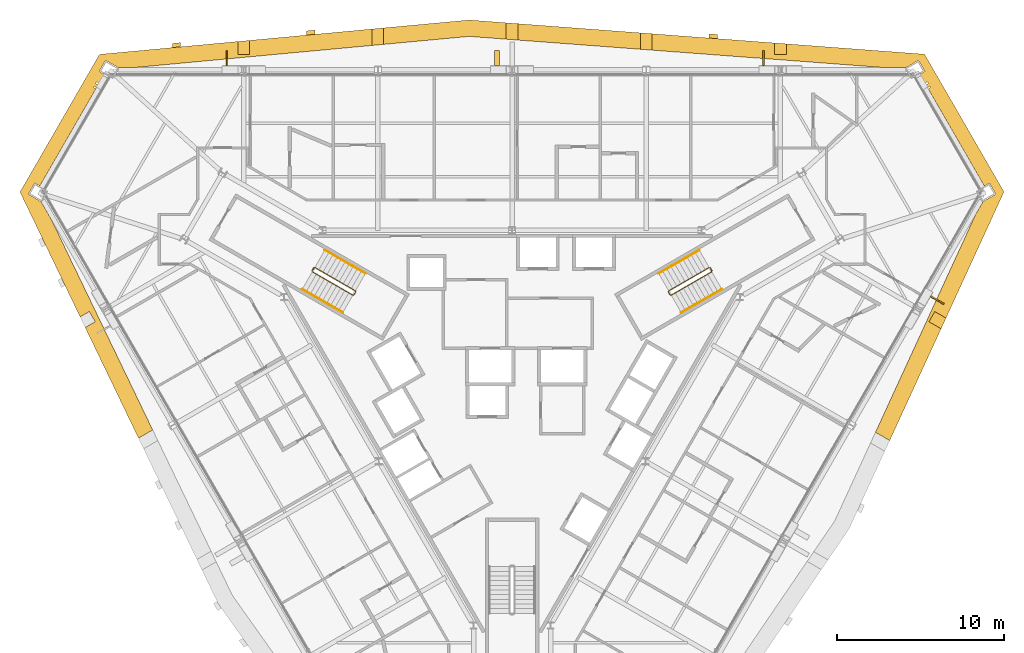
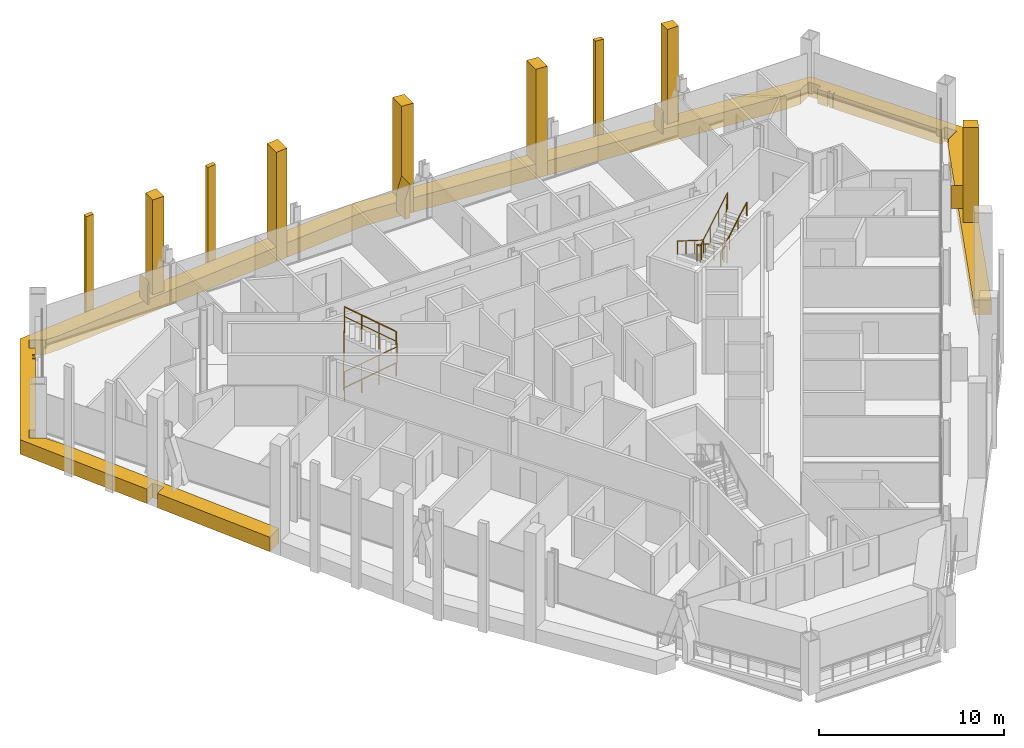
# One storey, part 16 of 16: 17 coverings, 6 railings.
"""IFC4 building model written with IfcOpenShell, lengths in metres."""

from ifc_helpers import new_model, si_unit, direction, frame, origin, origin_2d, place, context, subcontext, project, spatial, polyline, circle, outline, extrude, material, layer, layer_set, type_object, element, save


model = new_model("IFC4")

# Units and contexts
model_context = context("Model", 3, precision=1e-05, world=origin(), true_north=direction((0.0, 1.0)))
body_context = subcontext(model_context, "Body", "Model", "MODEL_VIEW")
ifc_project = project(units=[si_unit("LENGTHUNIT", "METRE"), si_unit("AREAUNIT", "SQUARE_METRE"), si_unit("VOLUMEUNIT", "CUBIC_METRE"), si_unit("PLANEANGLEUNIT", "RADIAN"), si_unit("MASSUNIT", "GRAM", prefix="KILO")], contexts=[model_context])

# Site, building, storey
site_placement = place(None, origin())
site = spatial("IfcSite", under=ifc_project, at=site_placement, CompositionType="ELEMENT")
building_placement = place(site_placement, origin())
building = spatial("IfcBuilding", under=site, at=building_placement, Name="Verrane Prism Tower", CompositionType="ELEMENT")
storey_placement = place(building_placement, frame((0.0, 0.0, 114.39990234375)))
storey = spatial("IfcBuildingStorey", under=building, at=storey_placement, Name="L27", CompositionType="ELEMENT", Elevation=114.39990234375)

# Railings
ifc_material_1 = material(Name="Steel A36 rail and posts, no infill", Category="steel")
railing_type_1 = type_object("IfcRailingType", Name="Stair guard 1100 steel rail and posts", PredefinedType="GUARDRAIL", material=ifc_material_1)
railing_1_placement = place(storey_placement, frame((11.78955078125, 6.97998046875, 0.163818359375)))
element("IfcRailing", 1, at=railing_1_placement, inside=storey, type_object=railing_type_1, Name="Stair 1 guard", PredefinedType="GUARDRAIL", context=body_context, shape_type="SweptSolid", body=[
    extrude(circle(Radius=0.02392578125, at=origin_2d()), frame((0.0, 0.0, 1.076171875), z_axis=(-0.747693913401, -0.431738279637, 0.504535300807), x_axis=(0.500049511043, -0.865996816683, 0.0)), (0.0, 0.0, 1.0), 3.2431640625),
    extrude(circle(Radius=0.02392578125, at=origin_2d()), frame((-2.4248046875, -1.400146484375, 2.71240234375), z_axis=(-0.259601060869, -0.965715946433, 0.0), x_axis=(0.965715946433, -0.259601060869, 0.0)), (0.0, 0.0, 1.0), 0.070556640625),
    extrude(circle(Radius=0.02392578125, at=origin_2d()), frame((-2.443115234375, -1.46826171875, 2.71240234375), z_axis=(0.499158860599, -0.866510491504, 0.0), x_axis=(0.866510491504, 0.499158860599, 0.0)), (0.0, 0.0, 1.0), 0.199951171875),
    extrude(circle(Radius=0.02392578125, at=origin_2d()), frame((-2.34326171875, -1.6416015625, 2.71240234375), z_axis=(0.383552647116, -0.102737316192, 0.917786691313), x_axis=(0.258736085224, 0.965948051503, 0.0)), (0.0, 0.0, 1.0), 0.17822265625),
    extrude(circle(Radius=0.02392578125, at=origin_2d()), frame((-2.27490234375, -1.659912109375, 2.8759765625), z_axis=(0.747665513933, 0.431721881032, 0.504591415616), x_axis=(-0.500049511043, 0.865996816683, 0.0)), (0.0, 0.0, 1.0), 3.2431640625),
    extrude(circle(Radius=0.02392578125, at=origin_2d()), frame((0.14990234375, -0.259765625, 4.51220703125), z_axis=(-0.022593669287, 0.066901613547, -0.997503734436), x_axis=(-0.947430582667, -0.3199613899, 0.0)), (0.0, 0.0, 1.0), 3.609130859375),
    extrude(circle(Radius=0.02392578125, at=origin_2d()), frame((0.068359375, -0.018310546875, 0.912109375), z_axis=(0.499158860599, -0.866510491504, 0.0), x_axis=(0.866510491504, 0.499158860599, 0.0)), (0.0, 0.0, 1.0), 0.199951171875),
    extrude(circle(Radius=0.02099609375, at=origin_2d()), origin(), (0.0, 0.0, 1.0), 1.052001953125),
    extrude(circle(Radius=0.02099609375, at=origin_2d()), frame((-0.808349609375, -0.466796875, 0.54541015625)), (0.0, 0.0, 1.0), 1.052001953125),
    extrude(circle(Radius=0.02099609375, at=origin_2d()), frame((-1.616455078125, -0.933349609375, 1.0908203125)), (0.0, 0.0, 1.0), 1.052001953125),
    extrude(circle(Radius=0.02099609375, at=origin_2d()), frame((-2.4248046875, -1.400146484375, 1.63623046875)), (0.0, 0.0, 1.0), 1.052001953125),
    extrude(circle(Radius=0.02099609375, at=origin_2d()), frame((-2.443115234375, -1.46826171875, 1.63623046875)), (0.0, 0.0, 1.0), 1.052001953125),
    extrude(circle(Radius=0.02099609375, at=origin_2d()), frame((-2.34326171875, -1.6416015625, 1.63623046875)), (0.0, 0.0, 1.0), 1.052001953125),
    extrude(circle(Radius=0.02099609375, at=origin_2d()), frame((-2.27490234375, -1.659912109375, 1.7998046875)), (0.0, 0.0, 1.0), 1.052001953125),
    extrude(circle(Radius=0.02099609375, at=origin_2d()), frame((-1.466552734375, -1.193115234375, 2.34521484375)), (0.0, 0.0, 1.0), 1.052001953125),
    extrude(circle(Radius=0.02099609375, at=origin_2d()), frame((-0.658447265625, -0.7265625, 2.890869140625)), (0.0, 0.0, 1.0), 1.052001953125),
    extrude(circle(Radius=0.02099609375, at=origin_2d()), frame((0.14990234375, -0.259765625, 3.436279296875)), (0.0, 0.0, 1.0), 1.052001953125),
    extrude(circle(Radius=0.02099609375, at=origin_2d()), frame((0.12939453125, -0.199462890625, 2.5361328125)), (0.0, 0.0, 1.0), 1.052001953125),
    extrude(circle(Radius=0.02099609375, at=origin_2d()), frame((0.109130859375, -0.13916015625, 1.63623046875)), (0.0, 0.0, 1.0), 1.052001953125),
    extrude(circle(Radius=0.02099609375, at=origin_2d()), frame((0.0888671875, -0.07861328125, 0.736328125)), (0.0, 0.0, 1.0), 1.052001953125),
    extrude(circle(Radius=0.02099609375, at=origin_2d()), frame((0.068359375, -0.018310546875, -0.163818359375)), (0.0, 0.0, 1.0), 1.052001953125),
    extrude(circle(Radius=0.02099609375, at=origin_2d()), frame((0.168212890625, -0.191650390625, -0.163818359375)), (0.0, 0.0, 1.0), 1.052001953125),
])
railing_2_placement = place(storey_placement, frame((-11.939453125, 6.72021484375, 0.163818359375)))
element("IfcRailing", 2, at=railing_2_placement, inside=storey, type_object=railing_type_1, Name="Stair 2 guard", PredefinedType="GUARDRAIL", context=body_context, shape_type="SweptSolid", body=[
    extrude(circle(Radius=0.02392578125, at=origin_2d()), frame((0.0, 0.0, 1.076171875), z_axis=(0.747693913401, -0.431738279637, 0.504535300807), x_axis=(0.500049511043, 0.865996816683, 0.0)), (0.0, 0.0, 1.0), 3.2431640625),
    extrude(circle(Radius=0.02392578125, at=origin_2d()), frame((2.4248046875, -1.400146484375, 2.71240234375), z_axis=(0.965948051503, 0.258736085224, 0.0), x_axis=(-0.258736085224, 0.965948051503, 0.0)), (0.0, 0.0, 1.0), 0.07080078125),
    extrude(circle(Radius=0.02392578125, at=origin_2d()), frame((2.4931640625, -1.3818359375, 2.71240234375), z_axis=(0.499158860599, 0.866510491504, 0.0), x_axis=(-0.866510491504, 0.499158860599, 0.0)), (0.0, 0.0, 1.0), 0.199951171875),
    extrude(circle(Radius=0.02392578125, at=origin_2d()), frame((2.593017578125, -1.20849609375, 2.71240234375), z_axis=(-0.102791240646, 0.382383415203, 0.918268416436), x_axis=(-0.965715946433, -0.259601060869, 0.0)), (0.0, 0.0, 1.0), 0.17822265625),
    extrude(circle(Radius=0.02392578125, at=origin_2d()), frame((2.57470703125, -1.140380859375, 2.8759765625), z_axis=(-0.747665513933, 0.431721881032, 0.504591415616), x_axis=(-0.500049511043, -0.865996816683, 0.0)), (0.0, 0.0, 1.0), 3.2431640625),
    extrude(circle(Radius=0.02392578125, at=origin_2d()), frame((0.14990234375, 0.259765625, 4.51220703125), z_axis=(-0.046607763296, -0.053101733218, -0.99750083826), x_axis=(0.751567565678, -0.659656118156, 0.0)), (0.0, 0.0, 1.0), 3.609130859375),
    extrude(circle(Radius=0.02392578125, at=origin_2d()), frame((-0.018310546875, 0.068115234375, 0.912109375), z_axis=(0.499158860599, 0.866510491504, 0.0), x_axis=(-0.866510491504, 0.499158860599, 0.0)), (0.0, 0.0, 1.0), 0.199951171875),
    extrude(circle(Radius=0.02099609375, at=origin_2d()), origin(), (0.0, 0.0, 1.0), 1.052001953125),
    extrude(circle(Radius=0.02099609375, at=origin_2d()), frame((0.808349609375, -0.466796875, 0.54541015625)), (0.0, 0.0, 1.0), 1.052001953125),
    extrude(circle(Radius=0.02099609375, at=origin_2d()), frame((1.616455078125, -0.933349609375, 1.0908203125)), (0.0, 0.0, 1.0), 1.052001953125),
    extrude(circle(Radius=0.02099609375, at=origin_2d()), frame((2.4248046875, -1.400146484375, 1.63623046875)), (0.0, 0.0, 1.0), 1.052001953125),
    extrude(circle(Radius=0.02099609375, at=origin_2d()), frame((2.4931640625, -1.3818359375, 1.63623046875)), (0.0, 0.0, 1.0), 1.052001953125),
    extrude(circle(Radius=0.02099609375, at=origin_2d()), frame((2.593017578125, -1.20849609375, 1.63623046875)), (0.0, 0.0, 1.0), 1.052001953125),
    extrude(circle(Radius=0.02099609375, at=origin_2d()), frame((2.57470703125, -1.140380859375, 1.7998046875)), (0.0, 0.0, 1.0), 1.052001953125),
    extrude(circle(Radius=0.02099609375, at=origin_2d()), frame((1.766357421875, -0.673583984375, 2.34521484375)), (0.0, 0.0, 1.0), 1.052001953125),
    extrude(circle(Radius=0.02099609375, at=origin_2d()), frame((0.958251953125, -0.20703125, 2.890869140625)), (0.0, 0.0, 1.0), 1.052001953125),
    extrude(circle(Radius=0.02099609375, at=origin_2d()), frame((0.14990234375, 0.259765625, 3.436279296875)), (0.0, 0.0, 1.0), 1.052001953125),
    extrude(circle(Radius=0.02099609375, at=origin_2d()), frame((0.10791015625, 0.2119140625, 2.5361328125)), (0.0, 0.0, 1.0), 1.052001953125),
    extrude(circle(Radius=0.02099609375, at=origin_2d()), frame((0.06591796875, 0.1640625, 1.63623046875)), (0.0, 0.0, 1.0), 1.052001953125),
    extrude(circle(Radius=0.02099609375, at=origin_2d()), frame((0.023681640625, 0.115966796875, 0.736328125)), (0.0, 0.0, 1.0), 1.052001953125),
    extrude(circle(Radius=0.02099609375, at=origin_2d()), frame((-0.018310546875, 0.068115234375, -0.163818359375)), (0.0, 0.0, 1.0), 1.052001953125),
    extrude(circle(Radius=0.02099609375, at=origin_2d()), frame((0.08154296875, 0.241455078125, -0.163818359375)), (0.0, 0.0, 1.0), 1.052001953125),
])
ifc_material_2 = material(Name="Steel A36 tube", Category="steel")
railing_type_2 = type_object("IfcRailingType", Name="Stair handrail 900 steel tube", PredefinedType="HANDRAIL", material=ifc_material_2)
railing_3_placement = place(storey_placement, frame((11.189453125, 8.01904296875, 0.163818359375)))
element("IfcRailing", 3, at=railing_3_placement, inside=storey, type_object=railing_type_2, Name="Stair 1 handrail", PredefinedType="HANDRAIL", context=body_context, shape_type="SweptSolid", body=[
    extrude(circle(Radius=0.02392578125, at=origin_2d()), frame((0.0, 0.0, 0.8759765625), z_axis=(-0.74771821388, -0.431677027627, 0.504551698492), x_axis=(0.49998411664, -0.866034573852, 0.0)), (0.0, 0.0, 1.0), 3.242919921875),
    extrude(circle(Radius=0.02099609375, at=origin_2d()), origin(), (0.0, 0.0, 1.0), 0.851806640625),
    extrude(circle(Radius=0.02099609375, at=origin_2d()), frame((-0.808349609375, -0.466552734375, 0.54541015625)), (0.0, 0.0, 1.0), 0.851806640625),
    extrude(circle(Radius=0.02099609375, at=origin_2d()), frame((-1.616455078125, -0.933349609375, 1.0908203125)), (0.0, 0.0, 1.0), 0.851806640625),
    extrude(circle(Radius=0.02099609375, at=origin_2d()), frame((-2.4248046875, -1.39990234375, 1.63623046875)), (0.0, 0.0, 1.0), 0.851806640625),
])
railing_4_placement = place(storey_placement, frame((10.11474609375, 4.28076171875, 1.963623046875)))
element("IfcRailing", 4, at=railing_4_placement, inside=storey, type_object=railing_type_2, Name="Stair 1 handrail", PredefinedType="HANDRAIL", context=body_context, shape_type="SweptSolid", body=[
    extrude(circle(Radius=0.02392578125, at=origin_2d()), frame((0.0, 0.0, 0.8759765625), z_axis=(0.747665513933, 0.431721881032, 0.504591415616), x_axis=(-0.500049511043, 0.865996816683, 0.0)), (0.0, 0.0, 1.0), 3.2431640625),
    extrude(circle(Radius=0.02099609375, at=origin_2d()), origin(), (0.0, 0.0, 1.0), 0.851806640625),
    extrude(circle(Radius=0.02099609375, at=origin_2d()), frame((0.808349609375, 0.466796875, 0.54541015625)), (0.0, 0.0, 1.0), 0.851806640625),
    extrude(circle(Radius=0.02099609375, at=origin_2d()), frame((1.616455078125, 0.933349609375, 1.091064453125)), (0.0, 0.0, 1.0), 0.851806640625),
    extrude(circle(Radius=0.02099609375, at=origin_2d()), frame((2.4248046875, 1.400146484375, 1.636474609375)), (0.0, 0.0, 1.0), 0.851806640625),
])
railing_5_placement = place(storey_placement, frame((-12.53955078125, 5.680908203125, 0.163818359375)))
element("IfcRailing", 5, at=railing_5_placement, inside=storey, type_object=railing_type_2, Name="Stair 2 handrail", PredefinedType="HANDRAIL", context=body_context, shape_type="SweptSolid", body=[
    extrude(circle(Radius=0.02392578125, at=origin_2d()), frame((0.0, 0.0, 0.8759765625), z_axis=(0.747693913401, -0.431738279637, 0.504535300807), x_axis=(0.500049511043, 0.865996816683, 0.0)), (0.0, 0.0, 1.0), 3.2431640625),
    extrude(circle(Radius=0.02099609375, at=origin_2d()), origin(), (0.0, 0.0, 1.0), 0.851806640625),
    extrude(circle(Radius=0.02099609375, at=origin_2d()), frame((0.808349609375, -0.466796875, 0.54541015625)), (0.0, 0.0, 1.0), 0.851806640625),
    extrude(circle(Radius=0.02099609375, at=origin_2d()), frame((1.616455078125, -0.933349609375, 1.0908203125)), (0.0, 0.0, 1.0), 0.851806640625),
    extrude(circle(Radius=0.02099609375, at=origin_2d()), frame((2.4248046875, -1.400146484375, 1.63623046875)), (0.0, 0.0, 1.0), 0.851806640625),
])
railing_6_placement = place(storey_placement, frame((-8.7646484375, 6.619140625, 1.963623046875)))
element("IfcRailing", 6, at=railing_6_placement, inside=storey, type_object=railing_type_2, Name="Stair 2 handrail", PredefinedType="HANDRAIL", context=body_context, shape_type="SweptSolid", body=[
    extrude(circle(Radius=0.02392578125, at=origin_2d()), frame((0.0, 0.0, 0.8759765625), z_axis=(-0.747689811644, 0.431660630283, 0.504607813879), x_axis=(-0.49998411664, -0.866034573852, 0.0)), (0.0, 0.0, 1.0), 3.2431640625),
    extrude(circle(Radius=0.02099609375, at=origin_2d()), origin(), (0.0, 0.0, 1.0), 0.851806640625),
    extrude(circle(Radius=0.02099609375, at=origin_2d()), frame((-0.808349609375, 0.466552734375, 0.54541015625)), (0.0, 0.0, 1.0), 0.851806640625),
    extrude(circle(Radius=0.02099609375, at=origin_2d()), frame((-1.616455078125, 0.933349609375, 1.091064453125)), (0.0, 0.0, 1.0), 0.851806640625),
    extrude(circle(Radius=0.02099609375, at=origin_2d()), frame((-2.4248046875, 1.39990234375, 1.636474609375)), (0.0, 0.0, 1.0), 0.851806640625),
])

# Coverings
ifc_material_3 = material(Name="Warm limestone cladding", Category="masonry")
ifc_layer_1 = layer(ifc_material_3, 0.89990234375)
ifc_layer_set_1 = layer_set([ifc_layer_1], Name="Stone brace fin 900")
covering_type_1 = type_object("IfcCoveringType", Name="Stone brace fin 900", PredefinedType="CLADDING", material=ifc_layer_set_1)
covering_1_placement = place(storey_placement, frame((14.988525390625, 19.493896484375, 0.0), z_axis=(0.0, 0.0, 1.0), x_axis=(1.0, 0.0, 0.0)))
element("IfcCovering", 7, at=covering_1_placement, inside=storey, type_object=covering_type_1, Name="Stone brace fin N2 L27", PredefinedType="CLADDING", context=body_context, shape_type="SweptSolid", body=[
    extrude(outline(polyline([(0.0, 0.0), (0.07861328125, 0.0), (0.07861328125, 1.48828125), (0.0, 1.241455078125), (0.0, 0.0)])), frame((0.0, 0.449951171875, 0.0), z_axis=(0.0, -1.0, 0.0), x_axis=(1.0, 0.0, 0.0)), (0.0, 0.0, 1.0), 0.89990234375),
])
covering_2_placement = place(storey_placement, frame((-1.051513671875, 19.493896484375, 0.0), z_axis=(0.0, 0.0, 1.0), x_axis=(1.0, 0.0, 0.0)))
element("IfcCovering", 8, at=covering_2_placement, inside=storey, type_object=covering_type_1, Name="Stone brace fin N4 L27", PredefinedType="CLADDING", context=body_context, shape_type="SweptSolid", body=[
    extrude(outline(polyline([(0.0, 0.0), (0.314208984375, 0.0), (0.314208984375, 2.229248046875), (0.0, 1.241455078125), (0.0, 0.0)])), frame((0.0, 0.449951171875, 0.0), z_axis=(0.0, -1.0, 0.0), x_axis=(1.0, 0.0, 0.0)), (0.0, 0.0, 1.0), 0.89990234375),
])
covering_3_placement = place(storey_placement, frame((-17.093017578125, 19.493896484375, 0.0), z_axis=(0.0, 0.0, 1.0), x_axis=(1.0, 0.0, 0.0)))
element("IfcCovering", 9, at=covering_3_placement, inside=storey, type_object=covering_type_1, Name="Stone brace fin N6 L27", PredefinedType="CLADDING", context=body_context, shape_type="SweptSolid", body=[
    extrude(outline(polyline([(0.0, 0.0), (0.07861328125, 0.0), (0.07861328125, 1.486572265625), (0.0, 1.239501953125), (0.0, 0.0)])), frame((0.0, 0.449951171875, 0.0), z_axis=(0.0, -1.0, 0.0), x_axis=(1.0, 0.0, 0.0)), (0.0, 0.0, 1.0), 0.89990234375),
])
covering_4_placement = place(storey_placement, frame((25.435546875, 5.059326171875, 0.0), z_axis=(0.0, 0.0, 1.0), x_axis=(-0.499812034598, -0.866133898465, 0.0)))
element("IfcCovering", 10, at=covering_4_placement, inside=storey, type_object=covering_type_1, Name="Stone brace fin SE6 L27", PredefinedType="CLADDING", context=body_context, shape_type="SweptSolid", body=[
    extrude(outline(polyline([(0.0, 0.0), (0.07861328125, 0.0), (0.07861328125, 1.487548828125), (0.0, 1.24072265625), (0.0, 0.0)])), frame((0.0, 0.449951171875, 0.0), z_axis=(0.0, -1.0, 0.0), x_axis=(1.0, 0.0, 0.0)), (0.0, 0.0, 1.0), 0.89990234375),
])
ifc_material_4 = material(Name="Warm limestone cladding", Category="masonry")
covering_type_2 = type_object("IfcCoveringType", Name="Stone mullion pier 500", PredefinedType="CLADDING", material=ifc_material_4)
covering_5_placement = place(storey_placement, frame((0.0, 0.0, -0.949951171875)))
element("IfcCovering", 11, at=covering_5_placement, inside=storey, type_object=covering_type_2, Name="Stone pier SM-N1.1 L27-L28", PredefinedType="CLADDING", context=body_context, shape_type="SweptSolid", body=[
    extrude(outline(polyline([(11.78369140625, 20.693115234375), (12.28369140625, 20.65576171875), (12.28369140625, 20.906494140625), (11.78369140625, 20.94384765625), (11.78369140625, 20.693115234375)])), origin(), (0.0, 0.0, 1.0), 7.199951171875),
])
covering_6_placement = place(storey_placement, frame((0.0, 0.0, -0.949951171875)))
element("IfcCovering", 12, at=covering_6_placement, inside=storey, type_object=covering_type_2, Name="Stone pier SM-N4.1 L27-L28", PredefinedType="CLADDING", context=body_context, shape_type="SweptSolid", body=[
    extrude(outline(polyline([(-12.28369140625, 20.868408203125), (-11.78369140625, 20.9150390625), (-11.78369140625, 21.166015625), (-12.28369140625, 21.11962890625), (-12.28369140625, 20.868408203125)])), origin(), (0.0, 0.0, 1.0), 7.199951171875),
])
covering_7_placement = place(storey_placement, frame((0.0, 0.0, -0.949951171875)))
element("IfcCovering", 13, at=covering_7_placement, inside=storey, type_object=covering_type_2, Name="Stone pier SM-N5.1 L27-L28", PredefinedType="CLADDING", context=body_context, shape_type="SweptSolid", body=[
    extrude(outline(polyline([(-20.305908203125, 20.122314453125), (-19.805908203125, 20.168701171875), (-19.805908203125, 20.419921875), (-20.305908203125, 20.373291015625), (-20.305908203125, 20.122314453125)])), origin(), (0.0, 0.0, 1.0), 7.199951171875),
])
ifc_material_5 = material(Name="Warm limestone cladding", Category="masonry")
covering_type_3 = type_object("IfcCoveringType", Name="Stone pier 700", PredefinedType="CLADDING", material=ifc_material_5)
covering_8_placement = place(storey_placement, frame((0.0, 0.0, -0.949951171875)))
element("IfcCovering", 14, at=covering_8_placement, inside=storey, type_object=covering_type_3, Name="Stone pier PC-N1 L27-L28", PredefinedType="CLADDING", context=body_context, shape_type="SweptSolid", body=[
    extrude(outline(polyline([(15.69482421875, 19.7099609375), (16.394775390625, 19.7099609375), (16.394775390625, 20.346923828125), (15.69482421875, 20.3994140625), (15.69482421875, 19.7099609375)])), origin(), (0.0, 0.0, 1.0), 7.199951171875),
])
covering_9_placement = place(storey_placement, frame((0.0, 0.0, -0.949951171875)))
element("IfcCovering", 15, at=covering_9_placement, inside=storey, type_object=covering_type_3, Name="Stone pier PC-N2 L27-L28", PredefinedType="CLADDING", context=body_context, shape_type="SweptSolid", body=[
    extrude(outline(polyline([(7.67236328125, 21.001953125), (7.67236328125, 20.02099609375), (8.372314453125, 19.968505859375), (8.372314453125, 20.949462890625), (7.67236328125, 21.001953125)])), origin(), (0.0, 0.0, 1.0), 7.199951171875),
])
covering_10_placement = place(storey_placement, frame((0.0, 0.0, -0.949951171875)))
element("IfcCovering", 16, at=covering_10_placement, inside=storey, type_object=covering_type_3, Name="Stone pier PC-N3 L27-L28", PredefinedType="CLADDING", context=body_context, shape_type="SweptSolid", body=[
    extrude(outline(polyline([(-0.35009765625, 21.6044921875), (-0.35009765625, 20.62353515625), (0.35009765625, 20.57080078125), (0.35009765625, 21.5517578125), (-0.35009765625, 21.6044921875)])), origin(), (0.0, 0.0, 1.0), 7.199951171875),
])
covering_11_placement = place(storey_placement, frame((0.0, 0.0, -0.949951171875)))
element("IfcCovering", 17, at=covering_11_placement, inside=storey, type_object=covering_type_3, Name="Stone pier PC-N4 L27-L28", PredefinedType="CLADDING", context=body_context, shape_type="SweptSolid", body=[
    extrude(outline(polyline([(-8.372314453125, 21.232421875), (-8.372314453125, 20.25), (-7.67236328125, 20.315185546875), (-7.67236328125, 21.29736328125), (-8.372314453125, 21.232421875)])), origin(), (0.0, 0.0, 1.0), 7.199951171875),
])
covering_12_placement = place(storey_placement, frame((0.0, 0.0, -0.949951171875)))
element("IfcCovering", 18, at=covering_12_placement, inside=storey, type_object=covering_type_3, Name="Stone pier PC-N5 L27-L28", PredefinedType="CLADDING", context=body_context, shape_type="SweptSolid", body=[
    extrude(outline(polyline([(-16.394775390625, 19.7099609375), (-15.69482421875, 19.7099609375), (-15.69482421875, 20.55126953125), (-16.394775390625, 20.486083984375), (-16.394775390625, 19.7099609375)])), origin(), (0.0, 0.0, 1.0), 7.199951171875),
])
covering_13_placement = place(storey_placement, frame((0.0, 0.0, -0.949951171875)))
element("IfcCovering", 19, at=covering_13_placement, inside=storey, type_object=covering_type_3, Name="Stone pier PC-SE5 L27-L28", PredefinedType="CLADDING", context=body_context, shape_type="SweptSolid", body=[
    extrude(outline(polyline([(25.267578125, 4.343017578125), (24.91748046875, 3.73681640625), (25.645263671875, 3.31640625), (25.938720703125, 3.955322265625), (25.267578125, 4.343017578125)])), origin(), (0.0, 0.0, 1.0), 7.199951171875),
])
ifc_material_6 = material(Name="Warm limestone cladding", Category="masonry")
ifc_layer_2 = layer(ifc_material_6, 0.449951171875)
ifc_layer_set_2 = layer_set([ifc_layer_2], Name="Stone spandrel band 450")
covering_type_4 = type_object("IfcCoveringType", Name="Stone spandrel band 450", PredefinedType="CLADDING", material=ifc_layer_set_2)
covering_14_placement = place(storey_placement, frame((0.0, 0.0, -0.949951171875)))
element("IfcCovering", 20, at=covering_14_placement, inside=storey, type_object=covering_type_4, Name="Stone spandrel band L27 part 1", PredefinedType="CLADDING", context=body_context, shape_type="SweptSolid", body=[
    extrude(outline(polyline([(8.372314453125, 19.968505859375), (22.29150390625, 18.92333984375), (23.541015625, 18.92333984375), (24.295654296875, 19.359130859375), (24.67578125, 18.700927734375), (24.373291015625, 18.5263671875), (24.6806640625, 17.994384765625), (24.8271484375, 18.0791015625), (24.88525390625, 17.978515625), (24.738525390625, 17.893798828125), (24.839111328125, 17.719970703125), (24.985595703125, 17.8046875), (25.020751953125, 17.743896484375), (24.8740234375, 17.6591796875), (28.231689453125, 11.843505859375), (28.53564453125, 12.01904296875), (28.915771484375, 11.36083984375), (28.1572265625, 10.923095703125), (27.705078125, 10.1396484375), (21.72314453125, -2.874267578125), (22.573974609375, -3.365478515625), (25.645263671875, 3.31640625), (24.91748046875, 3.73681640625), (25.267578125, 4.343017578125), (25.938720703125, 3.955322265625), (29.406005859375, 11.498779296875), (24.65576171875, 19.726806640625), (16.394775390625, 20.346923828125), (16.394775390625, 19.7099609375), (15.69482421875, 19.7099609375), (15.69482421875, 20.3994140625), (8.372314453125, 20.949462890625), (8.372314453125, 19.968505859375)])), origin(), (0.0, 0.0, 1.0), 0.949951171875),
])
covering_15_placement = place(storey_placement, frame((0.0, 0.0, -0.949951171875)))
element("IfcCovering", 21, at=covering_15_placement, inside=storey, type_object=covering_type_4, Name="Stone spandrel band L27 part 2", PredefinedType="CLADDING", context=body_context, shape_type="SweptSolid", body=[
    extrude(outline(polyline([(-29.41162109375, 11.4892578125), (-25.818359375, 4.02490234375), (-25.267578125, 4.343017578125), (-24.91748046875, 3.73681640625), (-25.513916015625, 3.392333984375), (-22.328857421875, -3.22412109375), (-21.4794921875, -2.733642578125), (-27.53369140625, 9.84326171875), (-28.1572265625, 10.923095703125), (-28.915771484375, 11.36083984375), (-28.53564453125, 12.01904296875), (-28.231689453125, 11.843505859375), (-24.8740234375, 17.6591796875), (-25.020751953125, 17.743896484375), (-24.985595703125, 17.8046875), (-24.839111328125, 17.719970703125), (-24.738525390625, 17.893798828125), (-24.88525390625, 17.978515625), (-24.8271484375, 18.0791015625), (-24.6806640625, 17.994384765625), (-24.373291015625, 18.5263671875), (-24.67578125, 18.700927734375), (-24.295654296875, 19.359130859375), (-23.541015625, 18.92333984375), (-22.6337890625, 18.92333984375), (-8.372314453125, 20.25), (-8.372314453125, 21.232421875), (-15.69482421875, 20.55126953125), (-15.69482421875, 19.7099609375), (-16.394775390625, 19.7099609375), (-16.394775390625, 20.486083984375), (-24.661376953125, 19.717041015625), (-29.41162109375, 11.4892578125)])), origin(), (0.0, 0.0, 1.0), 0.949951171875),
])
covering_16_placement = place(storey_placement, frame((0.0, 0.0, -0.949951171875)))
element("IfcCovering", 22, at=covering_16_placement, inside=storey, type_object=covering_type_4, Name="Stone spandrel band L27 part 9", PredefinedType="CLADDING", context=body_context, shape_type="SweptSolid", body=[
    extrude(outline(polyline([(0.35009765625, 21.5517578125), (0.35009765625, 20.57080078125), (7.67236328125, 20.02099609375), (7.67236328125, 21.001953125), (0.35009765625, 21.5517578125)])), origin(), (0.0, 0.0, 1.0), 0.949951171875),
])
covering_17_placement = place(storey_placement, frame((0.0, 0.0, -0.949951171875)))
element("IfcCovering", 23, at=covering_17_placement, inside=storey, type_object=covering_type_4, Name="Stone spandrel band L27 part 10", PredefinedType="CLADDING", context=body_context, shape_type="SweptSolid", body=[
    extrude(outline(polyline([(-7.67236328125, 21.29736328125), (-7.67236328125, 20.315185546875), (-2.567138671875, 20.7900390625), (-0.35009765625, 20.62353515625), (-0.35009765625, 21.6044921875), (-2.575927734375, 21.771484375), (-7.67236328125, 21.29736328125)])), origin(), (0.0, 0.0, 1.0), 0.949951171875),
])

save(model, "model.ifc")
